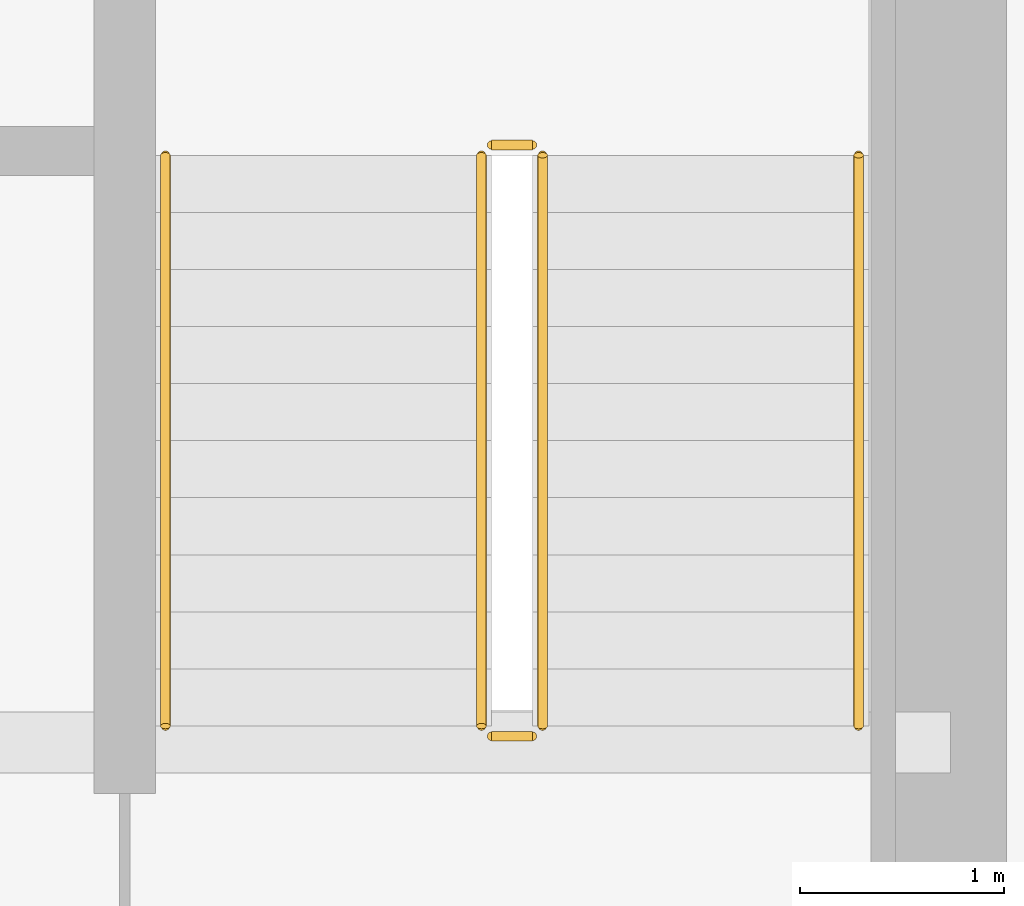
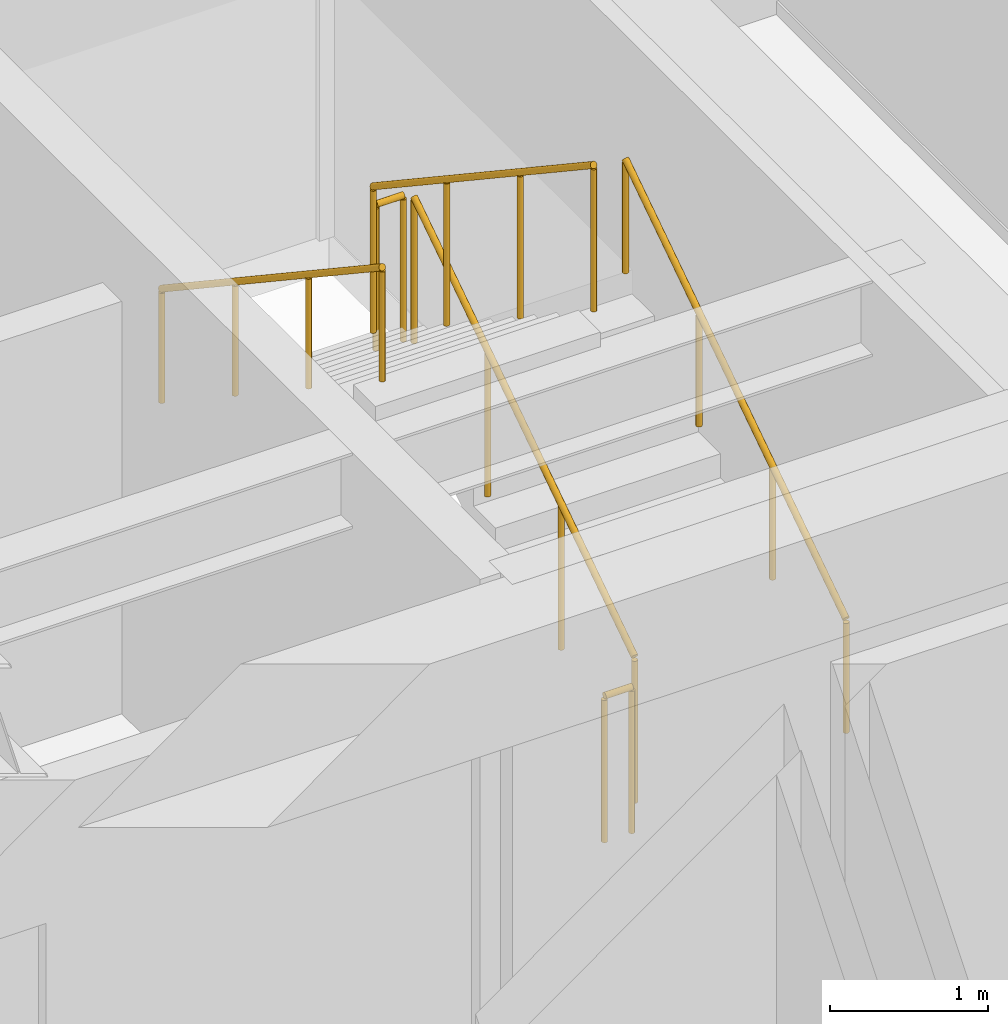
# One storey, part 33 of 33: 6 railings.
"""IFC4 building model written with IfcOpenShell, lengths in metres."""

from ifc_helpers import new_model, si_unit, direction, frame, origin, origin_2d, place, context, subcontext, project, spatial, circle, extrude, source, transform, mapped, material, type_object, type_shapes, element, save


model = new_model("IFC4")

# Units and contexts
model_context = context("Model", 3, precision=1e-05, world=origin(), true_north=direction((0.0, 1.0)))
body_context = subcontext(model_context, "Body", "Model", "MODEL_VIEW")
ifc_project = project(units=[si_unit("LENGTHUNIT", "METRE"), si_unit("AREAUNIT", "SQUARE_METRE"), si_unit("VOLUMEUNIT", "CUBIC_METRE"), si_unit("PLANEANGLEUNIT", "RADIAN"), si_unit("MASSUNIT", "GRAM", prefix="KILO")], contexts=[model_context])

# Site, building, storey
site_placement = place(None, origin())
site = spatial("IfcSite", under=ifc_project, at=site_placement, CompositionType="ELEMENT")
building_placement = place(site_placement, origin())
building = spatial("IfcBuilding", under=site, at=building_placement, Name="Haelvirn Gate Laboratories", CompositionType="ELEMENT")
storey_placement = place(building_placement, frame((0.0, 0.0, 213.699951171875)))
storey = spatial("IfcBuildingStorey", under=building, at=storey_placement, Name="L51", CompositionType="ELEMENT", Elevation=213.699951171875)

# Railings
ifc_material_1 = material(Name="Galvanised steel SM355 & stainless top rail", Category="steel")
railing_type_1 = type_object("IfcRailingType", Name="RL-GUARD-1150", PredefinedType="GUARDRAIL", material=ifc_material_1)
shared_shape_1 = source(origin(), body_context, "Body", "SweptSolid", [
    extrude(circle(Radius=0.02392578125, at=origin_2d()), frame((0.0, 0.0, 1.1259765625), z_axis=(0.0, 0.832485552168, 0.554046753832), x_axis=(-1.0, 0.0, 0.0)), (0.0, 0.0, 1.0), 3.363525390625),
    extrude(circle(Radius=0.02099609375, at=origin_2d()), origin(), (0.0, 0.0, 1.0), 1.101806640625),
    extrude(circle(Radius=0.02099609375, at=origin_2d()), frame((0.0, 0.933349609375, 0.62109375)), (0.0, 0.0, 1.0), 1.101806640625),
    extrude(circle(Radius=0.02099609375, at=origin_2d()), frame((0.0, 1.86669921875, 1.242431640625)), (0.0, 0.0, 1.0), 1.101806640625),
    extrude(circle(Radius=0.02099609375, at=origin_2d()), frame((0.0, 2.800048828125, 1.863525390625)), (0.0, 0.0, 1.0), 1.101806640625),
])
railing_1_placement = place(storey_placement, frame((65.39990234375, 26.699951171875, 0.1865234375)))
element("IfcRailing", 1, at=railing_1_placement, inside=storey, type_object=railing_type_1, Name="L51 ST2 stair guard 1", PredefinedType="GUARDRAIL", context=body_context, shape_type="MappedRepresentation", body=[
    mapped(shared_shape_1, transform((0.0, 0.0, 0.0), scale=1.0)),
])
shared_shape_2 = source(origin(), body_context, "Body", "SweptSolid", [
    extrude(circle(Radius=0.02392578125, at=origin_2d()), frame((0.0, 0.0, 1.1259765625), z_axis=(0.0, -0.832452072856, 0.554097055034), x_axis=(1.0, 0.0, 0.0)), (0.0, 0.0, 1.0), 3.363525390625),
    extrude(circle(Radius=0.02099609375, at=origin_2d()), origin(), (0.0, 0.0, 1.0), 1.101806640625),
    extrude(circle(Radius=0.02099609375, at=origin_2d()), frame((0.0, -0.933349609375, 0.621337890625)), (0.0, 0.0, 1.0), 1.101806640625),
    extrude(circle(Radius=0.02099609375, at=origin_2d()), frame((0.0, -1.86669921875, 1.242431640625)), (0.0, 0.0, 1.0), 1.101806640625),
    extrude(circle(Radius=0.02099609375, at=origin_2d()), frame((0.0, -2.800048828125, 1.86376953125)), (0.0, 0.0, 1.0), 1.101806640625),
])
railing_2_placement = place(storey_placement, frame((65.10009765625, 29.5, 2.236328125)))
element("IfcRailing", 2, at=railing_2_placement, inside=storey, type_object=railing_type_1, Name="L51 ST2 stair guard 3", PredefinedType="GUARDRAIL", context=body_context, shape_type="MappedRepresentation", body=[
    mapped(shared_shape_2, transform((0.0, 0.0, 0.0), scale=1.0)),
])
ifc_material_2 = material(Name="Brushed stainless steel 316L", Category="steel")
railing_type_2 = type_object("IfcRailingType", Name="RL-HAND-920", PredefinedType="HANDRAIL", material=ifc_material_2)
shared_shape_3 = source(origin(), body_context, "Body", "SweptSolid", [
    extrude(circle(Radius=0.02392578125, at=origin_2d()), frame((0.0, 0.0, 0.8759765625), z_axis=(0.0, 0.832485552168, 0.554046753832), x_axis=(-1.0, 0.0, 0.0)), (0.0, 0.0, 1.0), 3.363525390625),
    extrude(circle(Radius=0.02099609375, at=origin_2d()), origin(), (0.0, 0.0, 1.0), 0.851806640625),
    extrude(circle(Radius=0.02099609375, at=origin_2d()), frame((0.0, 0.933349609375, 0.62109375)), (0.0, 0.0, 1.0), 0.851806640625),
    extrude(circle(Radius=0.02099609375, at=origin_2d()), frame((0.0, 1.86669921875, 1.242431640625)), (0.0, 0.0, 1.0), 0.851806640625),
    extrude(circle(Radius=0.02099609375, at=origin_2d()), frame((0.0, 2.800048828125, 1.863525390625)), (0.0, 0.0, 1.0), 0.851806640625),
])
railing_3_placement = place(storey_placement, frame((66.949951171875, 26.699951171875, 0.1865234375)))
element("IfcRailing", 3, at=railing_3_placement, inside=storey, type_object=railing_type_2, Name="L51 ST2 stair handrail 1", PredefinedType="HANDRAIL", context=body_context, shape_type="MappedRepresentation", body=[
    mapped(shared_shape_3, transform((0.0, 0.0, 0.0), scale=1.0)),
])
shared_shape_4 = source(origin(), body_context, "Body", "SweptSolid", [
    extrude(circle(Radius=0.02392578125, at=origin_2d()), frame((0.0, 0.0, 0.8759765625), z_axis=(0.0, -0.832452072856, 0.554097055034), x_axis=(1.0, 0.0, 0.0)), (0.0, 0.0, 1.0), 3.363525390625),
    extrude(circle(Radius=0.02099609375, at=origin_2d()), origin(), (0.0, 0.0, 1.0), 0.851806640625),
    extrude(circle(Radius=0.02099609375, at=origin_2d()), frame((0.0, -0.933349609375, 0.621337890625)), (0.0, 0.0, 1.0), 0.851806640625),
    extrude(circle(Radius=0.02099609375, at=origin_2d()), frame((0.0, -1.86669921875, 1.242431640625)), (0.0, 0.0, 1.0), 0.851806640625),
    extrude(circle(Radius=0.02099609375, at=origin_2d()), frame((0.0, -2.800048828125, 1.86376953125)), (0.0, 0.0, 1.0), 0.851806640625),
])
type_shapes(railing_type_2, [shared_shape_3, shared_shape_4])
railing_4_placement = place(storey_placement, frame((63.550048828125, 29.5, 2.236328125)))
element("IfcRailing", 4, at=railing_4_placement, inside=storey, type_object=railing_type_2, Name="L51 ST2 stair handrail 2", PredefinedType="HANDRAIL", context=body_context, shape_type="MappedRepresentation", body=[
    mapped(shared_shape_4, transform((0.0, 0.0, 0.0), scale=1.0)),
])
shared_shape_5 = source(origin(), body_context, "Body", "SweptSolid", [
    extrude(circle(Radius=0.02392578125, at=origin_2d()), frame((0.0, 0.0, 1.1259765625), z_axis=(-1.0, 0.0, 0.0), x_axis=(0.0, -1.0, 0.0)), (0.0, 0.0, 1.0), 0.2001953125),
    extrude(circle(Radius=0.02099609375, at=origin_2d()), origin(), (0.0, 0.0, 1.0), 1.101806640625),
    extrude(circle(Radius=0.02099609375, at=origin_2d()), frame((-0.2001953125, 0.0, 0.0)), (0.0, 0.0, 1.0), 1.101806640625),
])
type_shapes(railing_type_1, [shared_shape_1, shared_shape_2, shared_shape_5])
for number, where, name in (
    (5, (65.35009765625, 29.550048828125, 2.050048828125), "L51 ST2 stair guard 2"),
    (6, (65.35009765625, 26.64990234375, 0.0), "L51 ST2 stair guard 4"),
):
    element("IfcRailing", number, at=place(storey_placement, frame(where)), inside=storey, type_object=railing_type_1, Name=name, PredefinedType="GUARDRAIL", context=body_context, shape_type="MappedRepresentation", body=[
        mapped(shared_shape_5, transform((0.0, 0.0, 0.0), scale=1.0)),
    ])

save(model, "model.ifc")
